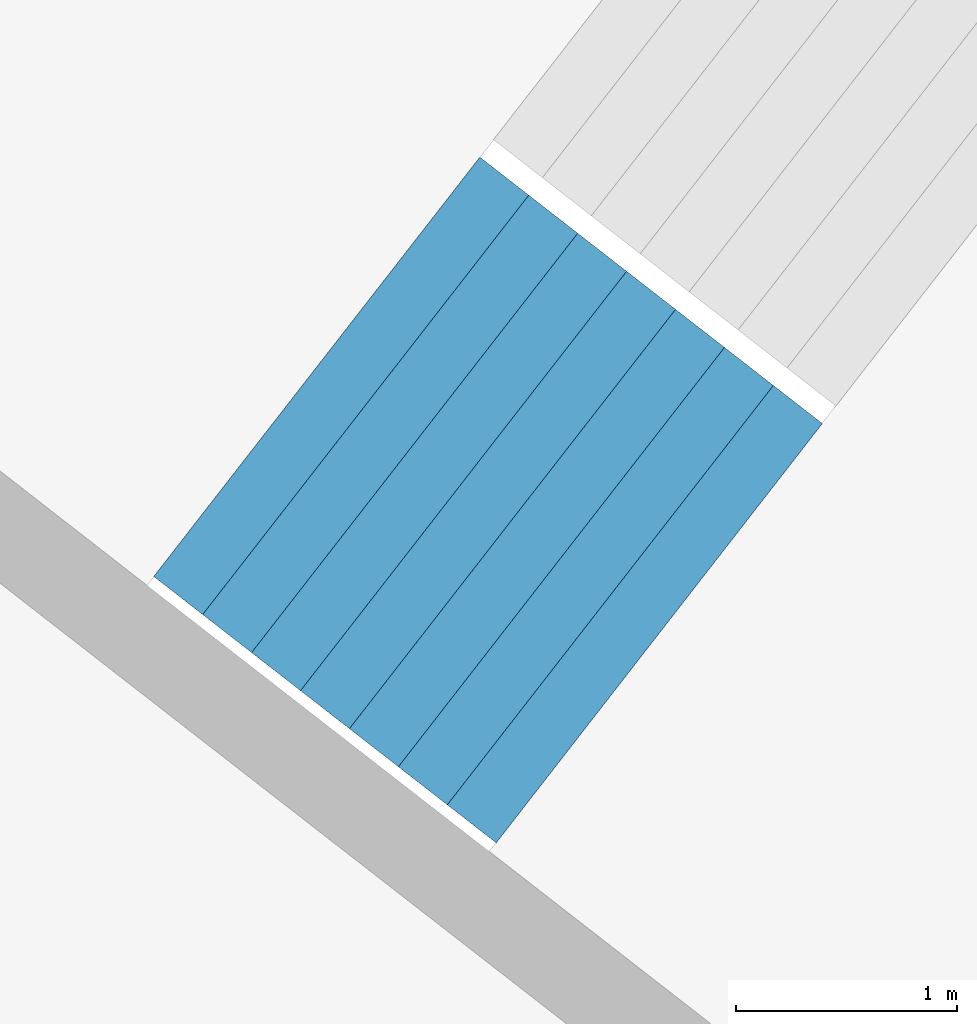
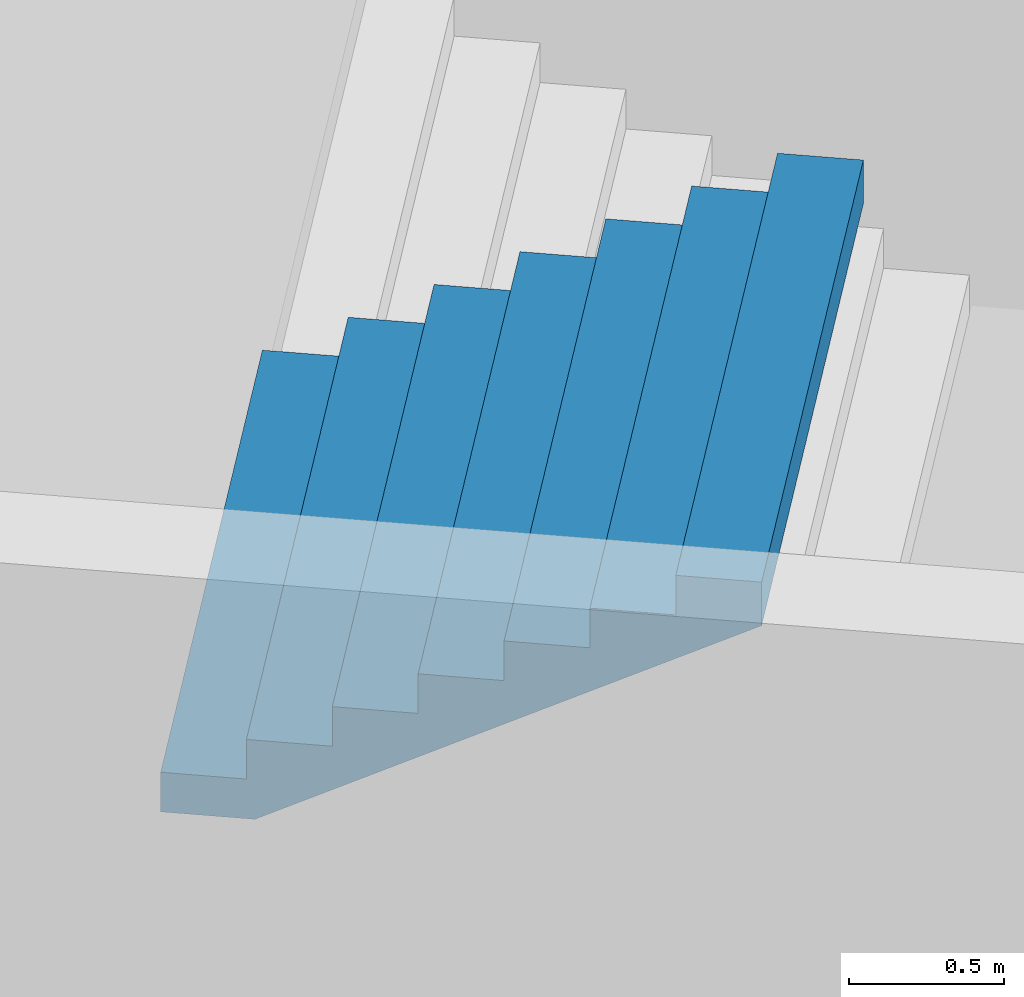
# One storey, part 38 of 73: 1 stair flight, 1 element without a shape of its own.
"""IFC4 building model written with IfcOpenShell, lengths in metres."""

from ifc_helpers import new_model, si_unit, direction, frame, origin, place, context, subcontext, project, spatial, triangles, material, type_object, element, aggregate, save


model = new_model("IFC4")

# Units and contexts
model_context = context("Model", 3, precision=1e-05, world=origin(), true_north=direction((0.0, 1.0)))
body_context = subcontext(model_context, "Body", "Model", "MODEL_VIEW")
ifc_project = project(units=[si_unit("LENGTHUNIT", "METRE"), si_unit("AREAUNIT", "SQUARE_METRE"), si_unit("VOLUMEUNIT", "CUBIC_METRE"), si_unit("PLANEANGLEUNIT", "RADIAN"), si_unit("MASSUNIT", "GRAM", prefix="KILO")], contexts=[model_context])

# Site, building, storey
site_placement = place(None, origin())
site = spatial("IfcSite", under=ifc_project, at=site_placement, CompositionType="ELEMENT")
building_placement = place(site_placement, origin())
building = spatial("IfcBuilding", under=site, at=building_placement, Name="Lantaw Convention Tower", CompositionType="ELEMENT")
storey_placement = place(building_placement, frame((0.0, 0.0, 27.0)))
storey = spatial("IfcBuildingStorey", under=building, at=storey_placement, Name="L04", CompositionType="ELEMENT", Elevation=27.0)

# Stair, stair flight
ifc_material = material(Name="Concrete C35/45", Category="concrete")
stair_type = type_object("IfcStairType", Name="Exit stair 2400 riser 156.25 in 4 flights", PredefinedType="HALF_TURN_STAIR", material=ifc_material)
stair_placement = place(storey_placement, origin())
stair = element("IfcStair", 1, at=stair_placement, inside=storey, type_object=stair_type, Name="Podium exit stair P7 L04", PredefinedType="HALF_TURN_STAIR")
stair_flight_type = type_object("IfcStairFlightType", Name="Stair flight 2400 riser 156.25", PredefinedType="STRAIGHT", material=ifc_material)
stair_flight_placement = place(storey_placement, frame((-31.04150390625, 22.557861328125, 3.75), z_axis=(0.0, 0.0, 1.0), x_axis=(0.789378829664, -0.613906396186, 0.0)))
stair_flight = element("IfcStairFlight", 2, at=stair_flight_placement, type_object=stair_flight_type, Name="P7 flight 4", NumberOfRisers=8, NumberOfTreads=7, PredefinedType="STRAIGHT", RiserHeight=0.15625, TreadLength=0.28, context=body_context, shape_type="Tessellation", body=[
    triangles([(0.0, 1.199951171875, 0.0), (0.0, 1.199951171875, 0.15625), (0.28, 1.199951171875, 0.0), (0.28, 1.199951171875, 0.15625), (0.28, 1.199951171875, 0.3125), (0.3076200632058044, 1.199951171875, 0.0), (0.3076200632058044, 1.199951171875, 0.3125), (0.56, 1.199951171875, 0.14083701830033238), (0.56, 1.199951171875, 0.3125), (0.56, 1.199951171875, 0.46875), (0.8400000000000001, 1.199951171875, 0.29708701830033235), (0.8400000000000001, 1.199951171875, 0.46875), (0.8400000000000001, 1.199951171875, 0.625), (1.12, 1.199951171875, 0.45333701830033235), (1.12, 1.199951171875, 0.625), (1.12, 1.199951171875, 0.78125), (1.4000000000000001, 1.199951171875, 0.6095870183003324), (1.4000000000000001, 1.199951171875, 0.78125), (1.4000000000000001, 1.199951171875, 0.9375), (1.6800000000000002, 1.199951171875, 0.7658370183003324), (1.6800000000000002, 1.199951171875, 0.9375), (1.6800000000000002, 1.199951171875, 1.09375), (1.9600000000000002, 1.199951171875, 0.9220870183003324), (1.9600000000000002, 1.199951171875, 1.09375), (0.0, -1.199951171875, 0.0), (0.0, -1.199951171875, 0.15625), (0.28, -1.199951171875, 0.0), (0.28, -1.199951171875, 0.15625), (0.28, -1.199951171875, 0.3125), (0.3076200632058044, -1.199951171875, 0.0), (0.3076200632058044, -1.199951171875, 0.3125), (0.56, -1.199951171875, 0.14083701830033238), (0.56, -1.199951171875, 0.3125), (0.56, -1.199951171875, 0.46875), (0.8400000000000001, -1.199951171875, 0.29708701830033235), (0.8400000000000001, -1.199951171875, 0.46875), (0.8400000000000001, -1.199951171875, 0.625), (1.12, -1.199951171875, 0.45333701830033235), (1.12, -1.199951171875, 0.625), (1.12, -1.199951171875, 0.78125), (1.4000000000000001, -1.199951171875, 0.6095870183003324), (1.4000000000000001, -1.199951171875, 0.78125), (1.4000000000000001, -1.199951171875, 0.9375), (1.6800000000000002, -1.199951171875, 0.7658370183003324), (1.6800000000000002, -1.199951171875, 0.9375), (1.6800000000000002, -1.199951171875, 1.09375), (1.9600000000000002, -1.199951171875, 0.9220870183003324), (1.9600000000000002, -1.199951171875, 1.09375), (0.0, 0.239990234375, 0.15625), (0.0, 0.239990234375, 0.0), (0.0, 0.1919921875, 0.15625), (0.0, 0.1919921875, 0.0), (0.0, 0.143994140625, 0.15625), (0.0, 0.143994140625, 0.0), (0.0, 0.09599609375, 0.15625), (0.0, 0.09599609375, 0.0), (0.0, 0.047998046875, 0.15625), (0.0, 0.047998046875, 0.0), (0.0, 0.0, 0.15625), (0.0, 0.0, 0.0), (0.0, -0.047998046875, 0.15625), (0.0, -0.047998046875, 0.0), (0.0, -0.09599609375, 0.15625), (0.0, -0.09599609375, 0.0), (0.0, -0.143994140625, 0.15625), (0.0, -0.143994140625, 0.0), (0.0, -0.1919921875, 0.15625), (0.0, -0.1919921875, 0.0), (0.0, -0.239990234375, 0.15625), (0.0, -0.239990234375, 0.0), (0.28, 0.239990234375, 0.3125), (0.28, 0.239990234375, 0.15625), (0.28, 0.1919921875, 0.3125), (0.28, 0.1919921875, 0.15625), (0.28, 0.143994140625, 0.3125), (0.28, 0.143994140625, 0.15625), (0.28, 0.09599609375, 0.3125), (0.28, 0.09599609375, 0.15625), (0.28, 0.047998046875, 0.3125), (0.28, 0.047998046875, 0.15625), (0.28, 0.0, 0.3125), (0.28, 0.0, 0.15625), (0.28, -0.047998046875, 0.3125), (0.28, -0.047998046875, 0.15625), (0.28, -0.09599609375, 0.3125), (0.28, -0.09599609375, 0.15625), (0.28, -0.143994140625, 0.3125), (0.28, -0.143994140625, 0.15625), (0.28, -0.1919921875, 0.3125), (0.28, -0.1919921875, 0.15625), (0.28, -0.239990234375, 0.3125), (0.28, -0.239990234375, 0.15625), (0.56, 0.239990234375, 0.46875), (0.56, 0.239990234375, 0.3125), (0.56, 0.1919921875, 0.46875), (0.56, 0.1919921875, 0.3125), (0.56, 0.143994140625, 0.46875), (0.56, 0.143994140625, 0.3125), (0.56, 0.09599609375, 0.46875), (0.56, 0.09599609375, 0.3125), (0.56, 0.047998046875, 0.46875), (0.56, 0.047998046875, 0.3125), (0.56, 0.0, 0.46875), (0.56, 0.0, 0.3125), (0.56, -0.047998046875, 0.46875), (0.56, -0.047998046875, 0.3125), (0.56, -0.09599609375, 0.46875), (0.56, -0.09599609375, 0.3125), (0.56, -0.143994140625, 0.46875), (0.56, -0.143994140625, 0.3125), (0.56, -0.1919921875, 0.46875), (0.56, -0.1919921875, 0.3125), (0.56, -0.239990234375, 0.46875), (0.56, -0.239990234375, 0.3125), (0.8400000000000001, 0.239990234375, 0.625), (0.8400000000000001, 0.239990234375, 0.46875), (0.8400000000000001, 0.1919921875, 0.625), (0.8400000000000001, 0.1919921875, 0.46875), (0.8400000000000001, 0.143994140625, 0.625), (0.8400000000000001, 0.143994140625, 0.46875), (0.8400000000000001, 0.09599609375, 0.625), (0.8400000000000001, 0.09599609375, 0.46875), (0.8400000000000001, 0.047998046875, 0.625), (0.8400000000000001, 0.047998046875, 0.46875), (0.8400000000000001, 0.0, 0.625), (0.8400000000000001, 0.0, 0.46875), (0.8400000000000001, -0.047998046875, 0.625), (0.8400000000000001, -0.047998046875, 0.46875), (0.8400000000000001, -0.09599609375, 0.625), (0.8400000000000001, -0.09599609375, 0.46875), (0.8400000000000001, -0.143994140625, 0.625), (0.8400000000000001, -0.143994140625, 0.46875), (0.8400000000000001, -0.1919921875, 0.625), (0.8400000000000001, -0.1919921875, 0.46875), (0.8400000000000001, -0.239990234375, 0.625), (0.8400000000000001, -0.239990234375, 0.46875), (1.12, 0.239990234375, 0.78125), (1.12, 0.239990234375, 0.625), (1.12, 0.1919921875, 0.78125), (1.12, 0.1919921875, 0.625), (1.12, 0.143994140625, 0.78125), (1.12, 0.143994140625, 0.625), (1.12, 0.09599609375, 0.78125), (1.12, 0.09599609375, 0.625), (1.12, 0.047998046875, 0.78125), (1.12, 0.047998046875, 0.625), (1.12, 0.0, 0.78125), (1.12, 0.0, 0.625), (1.12, -0.047998046875, 0.78125), (1.12, -0.047998046875, 0.625), (1.12, -0.09599609375, 0.78125), (1.12, -0.09599609375, 0.625), (1.12, -0.143994140625, 0.78125), (1.12, -0.143994140625, 0.625), (1.12, -0.1919921875, 0.78125), (1.12, -0.1919921875, 0.625), (1.12, -0.239990234375, 0.78125), (1.12, -0.239990234375, 0.625), (1.4000000000000001, 0.239990234375, 0.9375), (1.4000000000000001, 0.239990234375, 0.78125), (1.4000000000000001, 0.1919921875, 0.9375), (1.4000000000000001, 0.1919921875, 0.78125), (1.4000000000000001, 0.143994140625, 0.9375), (1.4000000000000001, 0.143994140625, 0.78125), (1.4000000000000001, 0.09599609375, 0.9375), (1.4000000000000001, 0.09599609375, 0.78125), (1.4000000000000001, 0.047998046875, 0.9375), (1.4000000000000001, 0.047998046875, 0.78125), (1.4000000000000001, 0.0, 0.9375), (1.4000000000000001, 0.0, 0.78125), (1.4000000000000001, -0.047998046875, 0.9375), (1.4000000000000001, -0.047998046875, 0.78125), (1.4000000000000001, -0.09599609375, 0.9375), (1.4000000000000001, -0.09599609375, 0.78125), (1.4000000000000001, -0.143994140625, 0.9375), (1.4000000000000001, -0.143994140625, 0.78125), (1.4000000000000001, -0.1919921875, 0.9375), (1.4000000000000001, -0.1919921875, 0.78125), (1.4000000000000001, -0.239990234375, 0.9375), (1.4000000000000001, -0.239990234375, 0.78125), (1.6800000000000002, 0.239990234375, 1.09375), (1.6800000000000002, 0.239990234375, 0.9375), (1.6800000000000002, 0.1919921875, 1.09375), (1.6800000000000002, 0.1919921875, 0.9375), (1.6800000000000002, 0.143994140625, 1.09375), (1.6800000000000002, 0.143994140625, 0.9375), (1.6800000000000002, 0.09599609375, 1.09375), (1.6800000000000002, 0.09599609375, 0.9375), (1.6800000000000002, 0.047998046875, 1.09375), (1.6800000000000002, 0.047998046875, 0.9375), (1.6800000000000002, 0.0, 1.09375), (1.6800000000000002, 0.0, 0.9375), (1.6800000000000002, -0.047998046875, 1.09375), (1.6800000000000002, -0.047998046875, 0.9375), (1.6800000000000002, -0.09599609375, 1.09375), (1.6800000000000002, -0.09599609375, 0.9375), (1.6800000000000002, -0.143994140625, 1.09375), (1.6800000000000002, -0.143994140625, 0.9375), (1.6800000000000002, -0.1919921875, 1.09375), (1.6800000000000002, -0.1919921875, 0.9375), (1.6800000000000002, -0.239990234375, 1.09375), (1.6800000000000002, -0.239990234375, 0.9375), (0.3076200632058044, 0.239990234375, 0.3125), (0.3076200632058044, 0.1919921875, 0.3125), (0.3076200632058044, 0.143994140625, 0.3125), (0.3076200632058044, 0.09599609375, 0.3125), (0.3076200632058044, 0.047998046875, 0.3125), (0.3076200632058044, 0.0, 0.3125), (0.3076200632058044, -0.047998046875, 0.3125), (0.3076200632058044, -0.09599609375, 0.3125), (0.3076200632058044, -0.143994140625, 0.3125), (0.3076200632058044, -0.1919921875, 0.3125), (0.3076200632058044, -0.239990234375, 0.3125), (1.9600000000000002, 0.239990234375, 1.09375), (1.9600000000000002, 0.1919921875, 1.09375), (1.9600000000000002, 0.143994140625, 1.09375), (1.9600000000000002, 0.09599609375, 1.09375), (1.9600000000000002, 0.047998046875, 1.09375), (1.9600000000000002, 0.0, 1.09375), (1.9600000000000002, -0.047998046875, 1.09375), (1.9600000000000002, -0.09599609375, 1.09375), (1.9600000000000002, -0.143994140625, 1.09375), (1.9600000000000002, -0.1919921875, 1.09375), (1.9600000000000002, -0.239990234375, 1.09375), (1.9600000000000002, 0.239990234375, 0.9220870183003324), (1.9600000000000002, 0.1919921875, 0.9220870183003324), (1.9600000000000002, 0.143994140625, 0.9220870183003324), (1.9600000000000002, 0.09599609375, 0.9220870183003324), (1.9600000000000002, 0.047998046875, 0.9220870183003324), (1.9600000000000002, 0.0, 0.9220870183003324), (1.9600000000000002, -0.047998046875, 0.9220870183003324), (1.9600000000000002, -0.09599609375, 0.9220870183003324), (1.9600000000000002, -0.143994140625, 0.9220870183003324), (1.9600000000000002, -0.1919921875, 0.9220870183003324), (1.9600000000000002, -0.239990234375, 0.9220870183003324), (1.6800000000000002, 0.239990234375, 0.7658370183003324), (1.6800000000000002, 0.1919921875, 0.7658370183003324), (1.6800000000000002, 0.143994140625, 0.7658370183003324), (1.6800000000000002, 0.09599609375, 0.7658370183003324), (1.6800000000000002, 0.047998046875, 0.7658370183003324), (1.6800000000000002, 0.0, 0.7658370183003324), (1.6800000000000002, -0.047998046875, 0.7658370183003324), (1.6800000000000002, -0.09599609375, 0.7658370183003324), (1.6800000000000002, -0.143994140625, 0.7658370183003324), (1.6800000000000002, -0.1919921875, 0.7658370183003324), (1.6800000000000002, -0.239990234375, 0.7658370183003324), (1.4000000000000001, 0.239990234375, 0.6095870183003324), (1.4000000000000001, 0.1919921875, 0.6095870183003324), (1.4000000000000001, 0.143994140625, 0.6095870183003324), (1.4000000000000001, 0.09599609375, 0.6095870183003324), (1.4000000000000001, 0.047998046875, 0.6095870183003324), (1.4000000000000001, 0.0, 0.6095870183003324), (1.4000000000000001, -0.047998046875, 0.6095870183003324), (1.4000000000000001, -0.09599609375, 0.6095870183003324), (1.4000000000000001, -0.143994140625, 0.6095870183003324), (1.4000000000000001, -0.1919921875, 0.6095870183003324), (1.4000000000000001, -0.239990234375, 0.6095870183003324), (1.12, 0.239990234375, 0.45333701830033235), (1.12, 0.1919921875, 0.45333701830033235), (1.12, 0.143994140625, 0.45333701830033235), (1.12, 0.09599609375, 0.45333701830033235), (1.12, 0.047998046875, 0.45333701830033235), (1.12, 0.0, 0.45333701830033235), (1.12, -0.047998046875, 0.45333701830033235), (1.12, -0.09599609375, 0.45333701830033235), (1.12, -0.143994140625, 0.45333701830033235), (1.12, -0.1919921875, 0.45333701830033235), (1.12, -0.239990234375, 0.45333701830033235), (0.8400000000000001, 0.239990234375, 0.29708701830033235), (0.8400000000000001, 0.1919921875, 0.29708701830033235), (0.8400000000000001, 0.143994140625, 0.29708701830033235), (0.8400000000000001, 0.09599609375, 0.29708701830033235), (0.8400000000000001, 0.047998046875, 0.29708701830033235), (0.8400000000000001, 0.0, 0.29708701830033235), (0.8400000000000001, -0.047998046875, 0.29708701830033235), (0.8400000000000001, -0.09599609375, 0.29708701830033235), (0.8400000000000001, -0.143994140625, 0.29708701830033235), (0.8400000000000001, -0.1919921875, 0.29708701830033235), (0.8400000000000001, -0.239990234375, 0.29708701830033235), (0.56, 0.239990234375, 0.14083701830033238), (0.56, 0.1919921875, 0.14083701830033238), (0.56, 0.143994140625, 0.14083701830033238), (0.56, 0.09599609375, 0.14083701830033238), (0.56, 0.047998046875, 0.14083701830033238), (0.56, 0.0, 0.14083701830033238), (0.56, -0.047998046875, 0.14083701830033238), (0.56, -0.09599609375, 0.14083701830033238), (0.56, -0.143994140625, 0.14083701830033238), (0.56, -0.1919921875, 0.14083701830033238), (0.56, -0.239990234375, 0.14083701830033238), (0.3076200632058044, 0.239990234375, 0.0), (0.3076200632058044, 0.1919921875, 0.0), (0.3076200632058044, 0.143994140625, 0.0), (0.3076200632058044, 0.09599609375, 0.0), (0.3076200632058044, 0.047998046875, 0.0), (0.3076200632058044, 0.0, 0.0), (0.3076200632058044, -0.047998046875, 0.0), (0.3076200632058044, -0.09599609375, 0.0), (0.3076200632058044, -0.143994140625, 0.0), (0.3076200632058044, -0.1919921875, 0.0), (0.3076200632058044, -0.239990234375, 0.0), (0.28, 0.239990234375, 0.0), (0.28, 0.1919921875, 0.0), (0.28, 0.143994140625, 0.0), (0.28, 0.09599609375, 0.0), (0.28, 0.047998046875, 0.0), (0.28, 0.0, 0.0), (0.28, -0.047998046875, 0.0), (0.28, -0.09599609375, 0.0), (0.28, -0.143994140625, 0.0), (0.28, -0.1919921875, 0.0), (0.28, -0.239990234375, 0.0)], [[1, 4, 3], [1, 2, 4], [3, 4, 6], [4, 7, 6], [4, 5, 7], [6, 9, 8], [6, 7, 9], [8, 9, 11], [9, 12, 11], [9, 10, 12], [11, 12, 14], [12, 15, 14], [12, 13, 15], [14, 15, 17], [15, 18, 17], [15, 16, 18], [17, 18, 20], [18, 21, 20], [18, 19, 21], [20, 21, 23], [21, 24, 23], [21, 22, 24], [25, 27, 28], [25, 28, 26], [27, 30, 28], [28, 30, 31], [28, 31, 29], [30, 32, 33], [30, 33, 31], [32, 35, 33], [33, 35, 36], [33, 36, 34], [35, 38, 36], [36, 38, 39], [36, 39, 37], [38, 41, 39], [39, 41, 42], [39, 42, 40], [41, 44, 42], [42, 44, 45], [42, 45, 43], [44, 47, 45], [45, 47, 48], [45, 48, 46], [1, 49, 2], [1, 50, 49], [50, 51, 49], [50, 52, 51], [52, 53, 51], [52, 54, 53], [54, 55, 53], [54, 56, 55], [56, 57, 55], [56, 58, 57], [58, 59, 57], [58, 60, 59], [60, 61, 59], [60, 62, 61], [62, 63, 61], [62, 64, 63], [64, 65, 63], [64, 66, 65], [66, 67, 65], [66, 68, 67], [68, 69, 67], [68, 70, 69], [70, 26, 69], [70, 25, 26], [4, 71, 5], [4, 72, 71], [72, 73, 71], [72, 74, 73], [74, 75, 73], [74, 76, 75], [76, 77, 75], [76, 78, 77], [78, 79, 77], [78, 80, 79], [80, 81, 79], [80, 82, 81], [82, 83, 81], [82, 84, 83], [84, 85, 83], [84, 86, 85], [86, 87, 85], [86, 88, 87], [88, 89, 87], [88, 90, 89], [90, 91, 89], [90, 92, 91], [92, 29, 91], [92, 28, 29], [9, 93, 10], [9, 94, 93], [94, 95, 93], [94, 96, 95], [96, 97, 95], [96, 98, 97], [98, 99, 97], [98, 100, 99], [100, 101, 99], [100, 102, 101], [102, 103, 101], [102, 104, 103], [104, 105, 103], [104, 106, 105], [106, 107, 105], [106, 108, 107], [108, 109, 107], [108, 110, 109], [110, 111, 109], [110, 112, 111], [112, 113, 111], [112, 114, 113], [114, 34, 113], [114, 33, 34], [12, 115, 13], [12, 116, 115], [116, 117, 115], [116, 118, 117], [118, 119, 117], [118, 120, 119], [120, 121, 119], [120, 122, 121], [122, 123, 121], [122, 124, 123], [124, 125, 123], [124, 126, 125], [126, 127, 125], [126, 128, 127], [128, 129, 127], [128, 130, 129], [130, 131, 129], [130, 132, 131], [132, 133, 131], [132, 134, 133], [134, 135, 133], [134, 136, 135], [136, 37, 135], [136, 36, 37], [15, 137, 16], [15, 138, 137], [138, 139, 137], [138, 140, 139], [140, 141, 139], [140, 142, 141], [142, 143, 141], [142, 144, 143], [144, 145, 143], [144, 146, 145], [146, 147, 145], [146, 148, 147], [148, 149, 147], [148, 150, 149], [150, 151, 149], [150, 152, 151], [152, 153, 151], [152, 154, 153], [154, 155, 153], [154, 156, 155], [156, 157, 155], [156, 158, 157], [158, 40, 157], [158, 39, 40], [18, 159, 19], [18, 160, 159], [160, 161, 159], [160, 162, 161], [162, 163, 161], [162, 164, 163], [164, 165, 163], [164, 166, 165], [166, 167, 165], [166, 168, 167], [168, 169, 167], [168, 170, 169], [170, 171, 169], [170, 172, 171], [172, 173, 171], [172, 174, 173], [174, 175, 173], [174, 176, 175], [176, 177, 175], [176, 178, 177], [178, 179, 177], [178, 180, 179], [180, 43, 179], [180, 42, 43], [21, 181, 22], [21, 182, 181], [182, 183, 181], [182, 184, 183], [184, 185, 183], [184, 186, 185], [186, 187, 185], [186, 188, 187], [188, 189, 187], [188, 190, 189], [190, 191, 189], [190, 192, 191], [192, 193, 191], [192, 194, 193], [194, 195, 193], [194, 196, 195], [196, 197, 195], [196, 198, 197], [198, 199, 197], [198, 200, 199], [200, 201, 199], [200, 202, 201], [202, 46, 201], [202, 45, 46], [2, 72, 4], [2, 49, 72], [49, 74, 72], [49, 51, 74], [51, 76, 74], [51, 53, 76], [53, 78, 76], [53, 55, 78], [55, 80, 78], [55, 57, 80], [57, 82, 80], [57, 59, 82], [59, 84, 82], [59, 61, 84], [61, 86, 84], [61, 63, 86], [63, 88, 86], [63, 65, 88], [65, 90, 88], [65, 67, 90], [67, 92, 90], [67, 69, 92], [69, 28, 92], [69, 26, 28], [5, 203, 7], [5, 71, 203], [71, 204, 203], [71, 73, 204], [73, 205, 204], [73, 75, 205], [75, 206, 205], [75, 77, 206], [77, 207, 206], [77, 79, 207], [79, 208, 207], [79, 81, 208], [81, 209, 208], [81, 83, 209], [83, 210, 209], [83, 85, 210], [85, 211, 210], [85, 87, 211], [87, 212, 211], [87, 89, 212], [89, 213, 212], [89, 91, 213], [91, 31, 213], [91, 29, 31], [7, 94, 9], [7, 203, 94], [203, 96, 94], [203, 204, 96], [204, 98, 96], [204, 205, 98], [205, 100, 98], [205, 206, 100], [206, 102, 100], [206, 207, 102], [207, 104, 102], [207, 208, 104], [208, 106, 104], [208, 209, 106], [209, 108, 106], [209, 210, 108], [210, 110, 108], [210, 211, 110], [211, 112, 110], [211, 212, 112], [212, 114, 112], [212, 213, 114], [213, 33, 114], [213, 31, 33], [10, 116, 12], [10, 93, 116], [93, 118, 116], [93, 95, 118], [95, 120, 118], [95, 97, 120], [97, 122, 120], [97, 99, 122], [99, 124, 122], [99, 101, 124], [101, 126, 124], [101, 103, 126], [103, 128, 126], [103, 105, 128], [105, 130, 128], [105, 107, 130], [107, 132, 130], [107, 109, 132], [109, 134, 132], [109, 111, 134], [111, 136, 134], [111, 113, 136], [113, 36, 136], [113, 34, 36], [13, 138, 15], [13, 115, 138], [115, 140, 138], [115, 117, 140], [117, 142, 140], [117, 119, 142], [119, 144, 142], [119, 121, 144], [121, 146, 144], [121, 123, 146], [123, 148, 146], [123, 125, 148], [125, 150, 148], [125, 127, 150], [127, 152, 150], [127, 129, 152], [129, 154, 152], [129, 131, 154], [131, 156, 154], [131, 133, 156], [133, 158, 156], [133, 135, 158], [135, 39, 158], [135, 37, 39], [16, 160, 18], [16, 137, 160], [137, 162, 160], [137, 139, 162], [139, 164, 162], [139, 141, 164], [141, 166, 164], [141, 143, 166], [143, 168, 166], [143, 145, 168], [145, 170, 168], [145, 147, 170], [147, 172, 170], [147, 149, 172], [149, 174, 172], [149, 151, 174], [151, 176, 174], [151, 153, 176], [153, 178, 176], [153, 155, 178], [155, 180, 178], [155, 157, 180], [157, 42, 180], [157, 40, 42], [19, 182, 21], [19, 159, 182], [159, 184, 182], [159, 161, 184], [161, 186, 184], [161, 163, 186], [163, 188, 186], [163, 165, 188], [165, 190, 188], [165, 167, 190], [167, 192, 190], [167, 169, 192], [169, 194, 192], [169, 171, 194], [171, 196, 194], [171, 173, 196], [173, 198, 196], [173, 175, 198], [175, 200, 198], [175, 177, 200], [177, 202, 200], [177, 179, 202], [179, 45, 202], [179, 43, 45], [22, 214, 24], [22, 181, 214], [181, 215, 214], [181, 183, 215], [183, 216, 215], [183, 185, 216], [185, 217, 216], [185, 187, 217], [187, 218, 217], [187, 189, 218], [189, 219, 218], [189, 191, 219], [191, 220, 219], [191, 193, 220], [193, 221, 220], [193, 195, 221], [195, 222, 221], [195, 197, 222], [197, 223, 222], [197, 199, 223], [199, 224, 223], [199, 201, 224], [201, 48, 224], [201, 46, 48], [24, 225, 23], [24, 214, 225], [214, 226, 225], [214, 215, 226], [215, 227, 226], [215, 216, 227], [216, 228, 227], [216, 217, 228], [217, 229, 228], [217, 218, 229], [218, 230, 229], [218, 219, 230], [219, 231, 230], [219, 220, 231], [220, 232, 231], [220, 221, 232], [221, 233, 232], [221, 222, 233], [222, 234, 233], [222, 223, 234], [223, 235, 234], [223, 224, 235], [224, 47, 235], [224, 48, 47], [23, 236, 20], [23, 225, 236], [225, 237, 236], [225, 226, 237], [226, 238, 237], [226, 227, 238], [227, 239, 238], [227, 228, 239], [228, 240, 239], [228, 229, 240], [229, 241, 240], [229, 230, 241], [230, 242, 241], [230, 231, 242], [231, 243, 242], [231, 232, 243], [232, 244, 243], [232, 233, 244], [233, 245, 244], [233, 234, 245], [234, 246, 245], [234, 235, 246], [235, 44, 246], [235, 47, 44], [20, 247, 17], [20, 236, 247], [236, 248, 247], [236, 237, 248], [237, 249, 248], [237, 238, 249], [238, 250, 249], [238, 239, 250], [239, 251, 250], [239, 240, 251], [240, 252, 251], [240, 241, 252], [241, 253, 252], [241, 242, 253], [242, 254, 253], [242, 243, 254], [243, 255, 254], [243, 244, 255], [244, 256, 255], [244, 245, 256], [245, 257, 256], [245, 246, 257], [246, 41, 257], [246, 44, 41], [17, 258, 14], [17, 247, 258], [247, 259, 258], [247, 248, 259], [248, 260, 259], [248, 249, 260], [249, 261, 260], [249, 250, 261], [250, 262, 261], [250, 251, 262], [251, 263, 262], [251, 252, 263], [252, 264, 263], [252, 253, 264], [253, 265, 264], [253, 254, 265], [254, 266, 265], [254, 255, 266], [255, 267, 266], [255, 256, 267], [256, 268, 267], [256, 257, 268], [257, 38, 268], [257, 41, 38], [14, 269, 11], [14, 258, 269], [258, 270, 269], [258, 259, 270], [259, 271, 270], [259, 260, 271], [260, 272, 271], [260, 261, 272], [261, 273, 272], [261, 262, 273], [262, 274, 273], [262, 263, 274], [263, 275, 274], [263, 264, 275], [264, 276, 275], [264, 265, 276], [265, 277, 276], [265, 266, 277], [266, 278, 277], [266, 267, 278], [267, 279, 278], [267, 268, 279], [268, 35, 279], [268, 38, 35], [11, 280, 8], [11, 269, 280], [269, 281, 280], [269, 270, 281], [270, 282, 281], [270, 271, 282], [271, 283, 282], [271, 272, 283], [272, 284, 283], [272, 273, 284], [273, 285, 284], [273, 274, 285], [274, 286, 285], [274, 275, 286], [275, 287, 286], [275, 276, 287], [276, 288, 287], [276, 277, 288], [277, 289, 288], [277, 278, 289], [278, 290, 289], [278, 279, 290], [279, 32, 290], [279, 35, 32], [8, 291, 6], [8, 280, 291], [280, 292, 291], [280, 281, 292], [281, 293, 292], [281, 282, 293], [282, 294, 293], [282, 283, 294], [283, 295, 294], [283, 284, 295], [284, 296, 295], [284, 285, 296], [285, 297, 296], [285, 286, 297], [286, 298, 297], [286, 287, 298], [287, 299, 298], [287, 288, 299], [288, 300, 299], [288, 289, 300], [289, 301, 300], [289, 290, 301], [290, 30, 301], [290, 32, 30], [6, 302, 3], [6, 291, 302], [291, 303, 302], [291, 292, 303], [292, 304, 303], [292, 293, 304], [293, 305, 304], [293, 294, 305], [294, 306, 305], [294, 295, 306], [295, 307, 306], [295, 296, 307], [296, 308, 307], [296, 297, 308], [297, 309, 308], [297, 298, 309], [298, 310, 309], [298, 299, 310], [299, 311, 310], [299, 300, 311], [300, 312, 311], [300, 301, 312], [301, 27, 312], [301, 30, 27], [3, 50, 1], [3, 302, 50], [302, 52, 50], [302, 303, 52], [303, 54, 52], [303, 304, 54], [304, 56, 54], [304, 305, 56], [305, 58, 56], [305, 306, 58], [306, 60, 58], [306, 307, 60], [307, 62, 60], [307, 308, 62], [308, 64, 62], [308, 309, 64], [309, 66, 64], [309, 310, 66], [310, 68, 66], [310, 311, 68], [311, 70, 68], [311, 312, 70], [312, 25, 70], [312, 27, 25]], closed=True),
])
aggregate(stair, [stair_flight])

save(model, "model.ifc")
